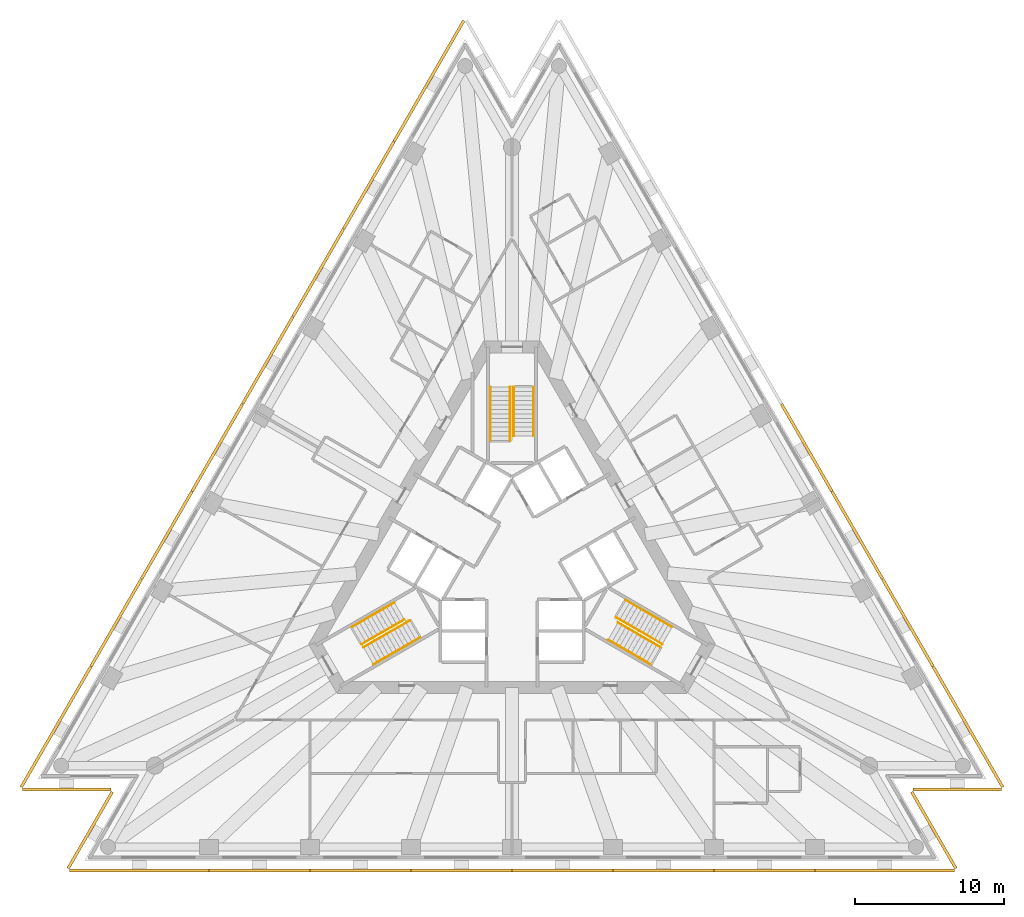
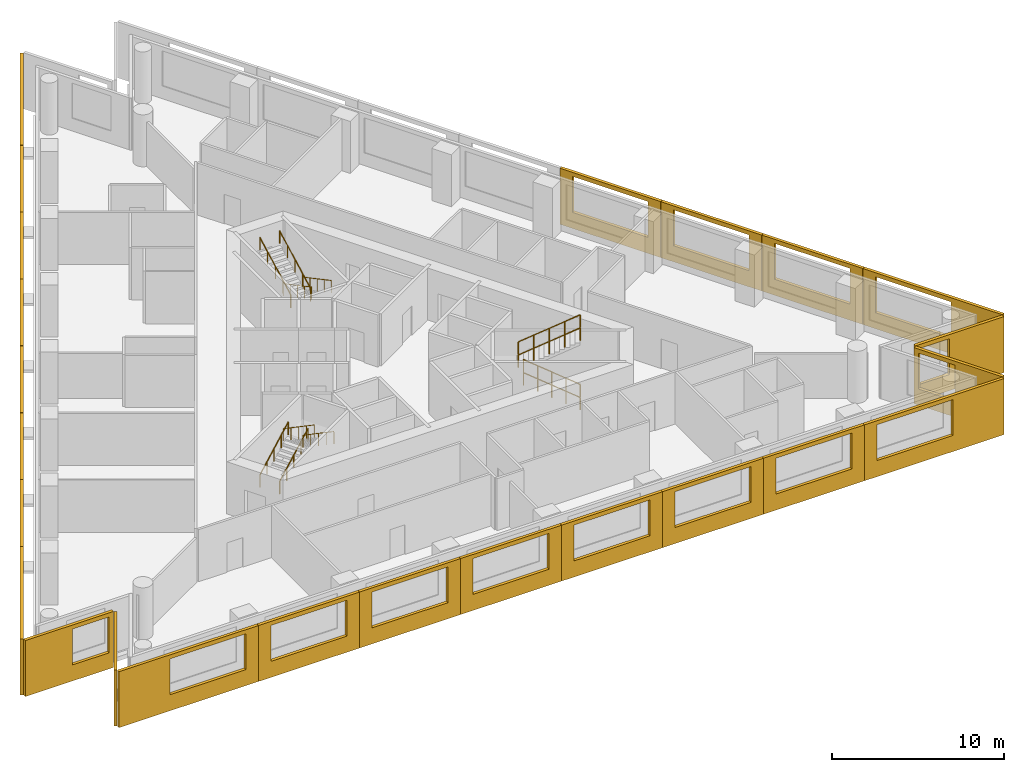
# One storey, part 8 of 9: 24 shading devices, 12 railings, 3 elements without a shape of their own.
"""IFC4 building model written with IfcOpenShell, lengths in metres."""

import ifcopenshell
import ifcopenshell.guid

model = None  # the IFC model being written
_history = None  # IfcOwnerHistory: only IFC2X3 demands one
_inside = {}  # id of a spatial element -> (the spatial element, [elements in it])
_under = {}  # id of a project, library or spatial element -> (it, [spatial elements below it])
_declared = {}  # id of a project -> (the project, [libraries it declares])
_typed = {}  # id of a type object -> (the type object, [elements of that type])
_made_of = {}  # id of a material, layer set ... -> (it, [elements and type objects made of it])


def new_model(schema):
    """Start an empty IFC model of exactly this schema.

    Asked for "IFC4X3", IfcOpenShell would pick the latest addendum, in which some entities
    have other attributes; the version numbers below select the first issue.
    IFC2X3 requires an IfcOwnerHistory on every rooted entity: one is made here for all.
    """
    global model, _history
    if schema == "IFC4X3":
        model = ifcopenshell.file(schema_version=(4, 3, 0, 0))
    else:
        model = ifcopenshell.file(schema=schema)
    _inside.clear()
    _under.clear()
    _declared.clear()
    _typed.clear()
    _made_of.clear()
    _history = None
    if model.schema == "IFC2X3":
        org = make("IfcOrganization", Name="unknown")
        user = make(
            "IfcPersonAndOrganization",
            ThePerson=make("IfcPerson", FamilyName="unknown"),
            TheOrganization=org,
        )
        app = make(
            "IfcApplication",
            ApplicationDeveloper=org,
            Version="unknown",
            ApplicationFullName="unknown",
            ApplicationIdentifier="unknown",
        )
        _history = make(
            "IfcOwnerHistory",
            OwningUser=user,
            OwningApplication=app,
            ChangeAction="ADDED",
            CreationDate=0,
        )
    return model


def make(cls, **values):
    """One entity of the class cls with the attributes given. An attribute that is None is left unset."""
    return model.create_entity(
        cls, **{name: value for name, value in values.items() if value is not None}
    )


def rooted(cls, **values):
    """An entity with a GlobalId (a new one), such as an element, a storey or a relation."""
    return make(cls, GlobalId=ifcopenshell.guid.new(), OwnerHistory=_history, **values)


def si_unit(unit_type, name, prefix=None):
    """IfcSIUnit, for example si_unit("LENGTHUNIT", "METRE", prefix="MILLI")."""
    return make("IfcSIUnit", UnitType=unit_type, Prefix=prefix, Name=name)


def assignment(units):
    """IfcUnitAssignment: the units of a project."""
    return None if units is None else make("IfcUnitAssignment", Units=units)


def point(xyz):
    """IfcCartesianPoint."""
    return None if xyz is None else make("IfcCartesianPoint", Coordinates=xyz)


def direction(xyz):
    """IfcDirection."""
    return None if xyz is None else make("IfcDirection", DirectionRatios=xyz)


def frame(location, z_axis=None, x_axis=None):
    """IfcAxis2Placement3D, a coordinate frame: its origin and axes. An axis left out is left unset."""
    return make(
        "IfcAxis2Placement3D",
        Location=point(location),
        Axis=direction(z_axis),
        RefDirection=direction(x_axis),
    )


def frame_2d(location, x_axis=None):
    """IfcAxis2Placement2D, a coordinate frame in the plane: its origin and x axis."""
    return make(
        "IfcAxis2Placement2D", Location=point(location), RefDirection=direction(x_axis)
    )


def origin():
    """The frame at (0, 0, 0) with its axes left unset."""
    return frame((0.0, 0.0, 0.0))


def origin_2d():
    """The frame at (0, 0) in the plane with its x axis left unset."""
    return frame_2d((0.0, 0.0))


def place(relative_to, where):
    """IfcLocalPlacement: puts the frame where relative to a parent placement (None: the world)."""
    return make(
        "IfcLocalPlacement", PlacementRelTo=relative_to, RelativePlacement=where
    )


def context(
    kind, dimensions, precision=None, world=None, true_north=None, identifier=None
):
    """IfcGeometricRepresentationContext, for example the 3D "Model" context."""
    return make(
        "IfcGeometricRepresentationContext",
        ContextIdentifier=identifier,
        ContextType=kind,
        CoordinateSpaceDimension=dimensions,
        Precision=precision,
        WorldCoordinateSystem=world,
        TrueNorth=true_north,
    )


def subcontext(parent, identifier, kind, view, scale=None):
    """IfcGeometricRepresentationSubContext, for example "Body" below "Model"."""
    return make(
        "IfcGeometricRepresentationSubContext",
        ContextIdentifier=identifier,
        ContextType=kind,
        ParentContext=parent,
        TargetScale=scale,
        TargetView=view,
    )


def project(units=None, contexts=None):
    """IfcProject with its units and contexts."""
    return rooted(
        "IfcProject",
        Name="project",
        RepresentationContexts=contexts,
        UnitsInContext=assignment(units),
    )


def spatial(cls, under=None, at=None, **own):
    """A site, building, storey or space (cls), placed at a placement, below another one or the project."""
    s = rooted(cls, ObjectPlacement=at, **own)
    if under is not None:
        _under.setdefault(under.id(), (under, []))[1].append(s)
    return s


def polyline(points):
    """IfcPolyline through the points."""
    return make("IfcPolyline", Points=[point(p) for p in points])


def profile(cls, at=None, kind="AREA", **sizes):
    """A parametric profile (cls). Its sizes go by their IFC names, for example OverallWidth=200.0."""
    return make(cls, ProfileType=kind, Position=at, **sizes)


def circle(**sizes):
    """IfcCircleProfileDef."""
    return profile("IfcCircleProfileDef", **sizes)


def outline(outer, holes=None, kind="AREA"):
    """IfcArbitraryClosedProfileDef: a profile drawn as a closed curve; with holes, ...WithVoids."""
    if holes is None:
        return make("IfcArbitraryClosedProfileDef", ProfileType=kind, OuterCurve=outer)
    return make(
        "IfcArbitraryProfileDefWithVoids",
        ProfileType=kind,
        OuterCurve=outer,
        InnerCurves=holes,
    )


def extrude(swept, where, along, depth):
    """IfcExtrudedAreaSolid: the profile swept, set in the frame where, extruded along a direction by depth."""
    return make(
        "IfcExtrudedAreaSolid",
        SweptArea=swept,
        Position=where,
        ExtrudedDirection=direction(along),
        Depth=depth,
    )


def shape(context_of_items, identifier, shape_type, items):
    """IfcShapeRepresentation: the items that make up one representation, for example the "Body"."""
    return make(
        "IfcShapeRepresentation",
        ContextOfItems=context_of_items,
        RepresentationIdentifier=identifier,
        RepresentationType=shape_type,
        Items=items,
    )


def material(Name=None, Category=None):
    """IfcMaterial."""
    return make("IfcMaterial", Name=Name, Category=Category)


def layer(
    of_material, thickness, ventilated=None, Name=None, Category=None, Priority=None
):
    """IfcMaterialLayer: one layer of a wall or slab, of a material (None: an air gap)."""
    return make(
        "IfcMaterialLayer",
        Material=of_material,
        LayerThickness=thickness,
        IsVentilated=ventilated,
        Name=Name,
        Category=Category,
        Priority=Priority,
    )


def layer_set(layers, Name=None):
    """IfcMaterialLayerSet."""
    return make("IfcMaterialLayerSet", MaterialLayers=layers, LayerSetName=Name)


def made_of(thing, what):
    """Note that an element or type object is made of a material, layer set ...; save() writes the relation."""
    if what is not None:
        _made_of.setdefault(what.id(), (what, []))[1].append(thing)
    return thing


def type_object(cls, material=None, **own):
    """A type object (cls), such as IfcWallType, which elements share."""
    return made_of(rooted(cls, **own), material)


def element(
    cls,
    number,
    at=None,
    inside=None,
    cuts=None,
    type_object=None,
    material=None,
    context=None,
    identifier="Body",
    shape_type=None,
    held_by="IfcProductDefinitionShape",
    body=None,
    shapes=None,
    **own,
):
    """One element of the class cls, such as IfcWall. Its Tag is "e" and its number.

    at: its placement. inside: the storey or other place that contains it. cuts: it is an
    opening in that element (IfcRelVoidsElement). A single representation is given by context,
    identifier, shape_type and body (its items); several are given by shapes. held_by: the class
    of the entity that holds the representations. save() writes the other relations.
    """
    e = rooted(cls, Tag="e%d" % number, ObjectPlacement=at, **own)
    if body is not None:
        shapes = [shape(context, identifier, shape_type, body)]
    if shapes is not None:
        e.Representation = make(held_by, Representations=shapes)
    if inside is not None:
        _inside.setdefault(inside.id(), (inside, []))[1].append(e)
    if cuts is not None:
        rooted(
            "IfcRelVoidsElement", RelatingBuildingElement=cuts, RelatedOpeningElement=e
        )
    if type_object is not None:
        _typed.setdefault(type_object.id(), (type_object, []))[1].append(e)
    return made_of(e, material)


def aggregate(whole, parts):
    """IfcRelAggregates: a whole, such as a stair, and the parts it consists of."""
    return rooted("IfcRelAggregates", RelatingObject=whole, RelatedObjects=parts)


def save(model, path):
    """Write the relations noted so far, then the file.

    IfcRelAggregates (storeys below a building ...), IfcRelContainedInSpatialStructure (elements
    in a storey), IfcRelDefinesByType, IfcRelAssociatesMaterial and IfcRelDeclares: one each for
    every whole, place, type object, material and project.
    """
    for whole, parts in _under.values():
        aggregate(whole, parts)
    for where, things in _inside.values():
        rooted(
            "IfcRelContainedInSpatialStructure",
            RelatedElements=things,
            RelatingStructure=where,
        )
    for kind, things in _typed.values():
        rooted("IfcRelDefinesByType", RelatedObjects=things, RelatingType=kind)
    for what, things in _made_of.values():
        rooted("IfcRelAssociatesMaterial", RelatedObjects=things, RelatingMaterial=what)
    for by, libraries in _declared.values():
        rooted("IfcRelDeclares", RelatingContext=by, RelatedDefinitions=libraries)
    model.write(path)


model = new_model("IFC4")

# Units and contexts
model_context = context("Model", 3, precision=1e-05, world=origin(), true_north=direction((0.0, 1.0)))
body_context = subcontext(model_context, "Body", "Model", "MODEL_VIEW")
ifc_project = project(units=[si_unit("LENGTHUNIT", "METRE"), si_unit("AREAUNIT", "SQUARE_METRE"), si_unit("VOLUMEUNIT", "CUBIC_METRE"), si_unit("PLANEANGLEUNIT", "RADIAN"), si_unit("MASSUNIT", "GRAM", prefix="KILO")], contexts=[model_context])

# Site, building, storey
site_placement = place(None, origin())
site = spatial("IfcSite", under=ifc_project, at=site_placement, CompositionType="ELEMENT")
building_placement = place(site_placement, origin())
building = spatial("IfcBuilding", under=site, at=building_placement, Name="Triada Interchange Tower", CompositionType="ELEMENT")
storey_placement = place(building_placement, frame((0.0, 0.0, 132.300048828125)))
storey = spatial("IfcBuildingStorey", under=building, at=storey_placement, Name="L30", CompositionType="ELEMENT", Elevation=132.300048828125)

# Shading devices
ifc_material_1 = material(Name="Concrete C50/60 precast", Category="concrete")
ifc_layer_1 = layer(ifc_material_1, 0.02001953125, Name="Exposed aggregate face")
ifc_layer_2 = layer(ifc_material_1, 0.179931640625, Name="Precast concrete screen")
ifc_layer_set = layer_set([ifc_layer_1, ifc_layer_2], Name="Outer skin screen panel 3980")
shading_device_type = type_object("IfcShadingDeviceType", Name="Outer skin screen panel 3980", PredefinedType="SHUTTER", material=ifc_layer_set)
shading_device_1_placement = place(storey_placement, frame((-3.158935546875, 36.19189453125, -0.2900390625), z_axis=(0.0, 0.0, 1.0), x_axis=(-0.500022371132, -0.86601248742, 0.0)))
element("IfcShadingDevice", 1, at=shading_device_1_placement, inside=storey, type_object=shading_device_type, Name="Outer skin screen panel L30 01", PredefinedType="SHUTTER", context=body_context, shape_type="SweptSolid", body=[
    extrude(outline(polyline([(0.0, 0.0), (9.37158203125, 0.0), (9.37158203125, 3.97998046875), (0.0, 3.97998046875), (0.0, 0.0)]), holes=[polyline([(3.4345703125, 1.139892578125), (3.4345703125, 3.68994140625), (8.53466796875, 3.68994140625), (8.53466796875, 1.139892578125), (3.4345703125, 1.139892578125)])]), frame((0.0, 0.0, 0.0), z_axis=(0.0, -1.0, 0.0), x_axis=(1.0, 0.0, 0.0)), (0.0, 0.0, 1.0), 0.199951171875),
])
shading_device_2_placement = place(storey_placement, frame((-7.85498046875, 28.05908203125, -0.2900390625), z_axis=(0.0, 0.0, 1.0), x_axis=(-0.499949141057, -0.866054765218, 0.0)))
element("IfcShadingDevice", 2, at=shading_device_2_placement, inside=storey, type_object=shading_device_type, Name="Outer skin screen panel L30 02", PredefinedType="SHUTTER", context=body_context, shape_type="SweptSolid", body=[
    extrude(outline(polyline([(0.0, 0.0), (6.774658203125, 0.0), (6.774658203125, 3.97998046875), (0.0, 3.97998046875), (0.0, 0.0)]), holes=[polyline([(0.83642578125, 1.139892578125), (0.83642578125, 3.68994140625), (5.9365234375, 3.68994140625), (5.9365234375, 1.139892578125), (0.83642578125, 1.139892578125)])]), frame((0.0, 0.0, 0.0), z_axis=(0.0, -1.0, 0.0), x_axis=(1.0, 0.0, 0.0)), (0.0, 0.0, 1.0), 0.199951171875),
])
shading_device_3_placement = place(storey_placement, frame((-11.251953125, 22.175048828125, -0.2900390625), z_axis=(0.0, 0.0, 1.0), x_axis=(-0.499964745128, -0.866045757238, 0.0)))
element("IfcShadingDevice", 3, at=shading_device_3_placement, inside=storey, type_object=shading_device_type, Name="Outer skin screen panel L30 03", PredefinedType="SHUTTER", context=body_context, shape_type="SweptSolid", body=[
    extrude(outline(polyline([(0.0, 0.0), (6.7744140625, 0.0), (6.7744140625, 3.97998046875), (0.0, 3.97998046875), (0.0, 0.0)]), holes=[polyline([(0.836669921875, 1.139892578125), (0.836669921875, 3.68994140625), (5.9365234375, 3.68994140625), (5.9365234375, 1.139892578125), (0.836669921875, 1.139892578125)])]), frame((0.0, 0.0, 0.0), z_axis=(0.0, -1.0, 0.0), x_axis=(1.0, 0.0, 0.0)), (0.0, 0.0, 1.0), 0.199951171875),
])
shading_device_4_placement = place(storey_placement, frame((-14.64892578125, 16.291015625, -0.2900390625), z_axis=(0.0, 0.0, 1.0), x_axis=(-0.50002716953, -0.866009716881, 0.0)))
element("IfcShadingDevice", 4, at=shading_device_4_placement, inside=storey, type_object=shading_device_type, Name="Outer skin screen panel L30 04", PredefinedType="SHUTTER", context=body_context, shape_type="SweptSolid", body=[
    extrude(outline(polyline([(0.0, 0.0), (6.7734375, 0.0), (6.7734375, 3.97998046875), (0.0, 3.97998046875), (0.0, 0.0)]), holes=[polyline([(0.836669921875, 1.139892578125), (0.836669921875, 3.68994140625), (5.9365234375, 3.68994140625), (5.9365234375, 1.139892578125), (0.836669921875, 1.139892578125)])]), frame((0.0, 0.0, 0.0), z_axis=(0.0, -1.0, 0.0), x_axis=(1.0, 0.0, 0.0)), (0.0, 0.0, 1.0), 0.199951171875),
])
shading_device_5_placement = place(storey_placement, frame((-18.0458984375, 10.406982421875, -0.2900390625), z_axis=(0.0, 0.0, 1.0), x_axis=(-0.500054200212, -0.865994109016, 0.0)))
element("IfcShadingDevice", 5, at=shading_device_5_placement, inside=storey, type_object=shading_device_type, Name="Outer skin screen panel L30 05", PredefinedType="SHUTTER", context=body_context, shape_type="SweptSolid", body=[
    extrude(outline(polyline([(0.0, 0.0), (6.773681640625, 0.0), (6.773681640625, 3.97998046875), (0.0, 3.97998046875), (0.0, 0.0)]), holes=[polyline([(0.836669921875, 1.139892578125), (0.836669921875, 3.68994140625), (5.9365234375, 3.68994140625), (5.9365234375, 1.139892578125), (0.836669921875, 1.139892578125)])]), frame((0.0, 0.0, 0.0), z_axis=(0.0, -1.0, 0.0), x_axis=(1.0, 0.0, 0.0)), (0.0, 0.0, 1.0), 0.199951171875),
])
shading_device_6_placement = place(storey_placement, frame((-21.443115234375, 4.52392578125, -0.2900390625), z_axis=(0.0, 0.0, 1.0), x_axis=(-0.499964745128, -0.866045757238, 0.0)))
element("IfcShadingDevice", 6, at=shading_device_6_placement, inside=storey, type_object=shading_device_type, Name="Outer skin screen panel L30 06", PredefinedType="SHUTTER", context=body_context, shape_type="SweptSolid", body=[
    extrude(outline(polyline([(0.0, 0.0), (6.7744140625, 0.0), (6.7744140625, 3.97998046875), (0.0, 3.97998046875), (0.0, 0.0)]), holes=[polyline([(0.836669921875, 1.139892578125), (0.836669921875, 3.68994140625), (5.9365234375, 3.68994140625), (5.9365234375, 1.139892578125), (0.836669921875, 1.139892578125)])]), frame((0.0, 0.0, 0.0), z_axis=(0.0, -1.0, 0.0), x_axis=(1.0, 0.0, 0.0)), (0.0, 0.0, 1.0), 0.199951171875),
])
shading_device_7_placement = place(storey_placement, frame((-24.840087890625, -1.360107421875, -0.2900390625), z_axis=(0.0, 0.0, 1.0), x_axis=(-0.499964745128, -0.866045757238, 0.0)))
element("IfcShadingDevice", 7, at=shading_device_7_placement, inside=storey, type_object=shading_device_type, Name="Outer skin screen panel L30 07", PredefinedType="SHUTTER", context=body_context, shape_type="SweptSolid", body=[
    extrude(outline(polyline([(0.0, 0.0), (6.7744140625, 0.0), (6.7744140625, 3.97998046875), (0.0, 3.97998046875), (0.0, 0.0)]), holes=[polyline([(0.836669921875, 1.139892578125), (0.836669921875, 3.68994140625), (5.936767578125, 3.68994140625), (5.936767578125, 1.139892578125), (0.836669921875, 1.139892578125)])]), frame((0.0, 0.0, 0.0), z_axis=(0.0, -1.0, 0.0), x_axis=(1.0, 0.0, 0.0)), (0.0, 0.0, 1.0), 0.199951171875),
])
shading_device_8_placement = place(storey_placement, frame((-28.237060546875, -7.243896484375, -0.2900390625), z_axis=(0.0, 0.0, 1.0), x_axis=(-0.500011090606, -0.866019000526, 0.0)))
element("IfcShadingDevice", 8, at=shading_device_8_placement, inside=storey, type_object=shading_device_type, Name="Outer skin screen panel L30 08", PredefinedType="SHUTTER", context=body_context, shape_type="SweptSolid", body=[
    extrude(outline(polyline([(0.0, 0.0), (9.371826171875, 0.0), (9.371826171875, 3.97998046875), (0.0, 3.97998046875), (0.0, 0.0)]), holes=[polyline([(0.836669921875, 1.139892578125), (0.836669921875, 3.68994140625), (5.936767578125, 3.68994140625), (5.936767578125, 1.139892578125), (0.836669921875, 1.139892578125)])]), frame((0.0, 0.0, 0.0), z_axis=(0.0, -1.0, 0.0), x_axis=(1.0, 0.0, 0.0)), (0.0, 0.0, 1.0), 0.199951171875),
])
shading_device_9_placement = place(storey_placement, frame((-32.91796875, -15.368896484375, -0.2900390625), z_axis=(0.0, 0.0, 1.0), x_axis=(1.0, 0.0, 0.0)))
element("IfcShadingDevice", 9, at=shading_device_9_placement, inside=storey, type_object=shading_device_type, Name="Outer skin screen panel L30 09", PredefinedType="SHUTTER", context=body_context, shape_type="SweptSolid", body=[
    extrude(outline(polyline([(0.0, 0.0), (5.94091796875, 0.0), (5.94091796875, 3.97998046875), (0.0, 3.97998046875), (0.0, 0.0)]), holes=[polyline([(3.175048828125, 1.139892578125), (3.175048828125, 3.68994140625), (5.64111328125, 3.68994140625), (5.64111328125, 1.139892578125), (3.175048828125, 1.139892578125)])]), frame((0.0, 0.0, 0.0), z_axis=(0.0, -1.0, 0.0), x_axis=(1.0, 0.0, 0.0)), (0.0, 0.0, 1.0), 0.199951171875),
])
shading_device_10_placement = place(storey_placement, frame((-26.799072265625, -15.677978515625, -0.2900390625), z_axis=(0.0, 0.0, 1.0), x_axis=(-0.499935901642, -0.866062407826, 0.0)))
element("IfcShadingDevice", 10, at=shading_device_10_placement, inside=storey, type_object=shading_device_type, Name="Outer skin screen panel L30 10", PredefinedType="SHUTTER", context=body_context, shape_type="SweptSolid", body=[
    extrude(outline(polyline([(0.0, 0.0), (5.940673828125, 0.0), (5.940673828125, 3.97998046875), (0.0, 3.97998046875), (0.0, 0.0)]), holes=[polyline([(0.300048828125, 1.139892578125), (0.300048828125, 3.68994140625), (2.2578125, 3.68994140625), (2.2578125, 1.139892578125), (0.300048828125, 1.139892578125)])]), frame((0.0, 0.0, 0.0), z_axis=(0.0, -1.0, 0.0), x_axis=(1.0, 0.0, 0.0)), (0.0, 0.0, 1.0), 0.199951171875),
])
shading_device_11_placement = place(storey_placement, frame((-29.763916015625, -20.83203125, -0.2900390625), z_axis=(0.0, 0.0, 1.0), x_axis=(1.0, 0.0, 0.0)))
element("IfcShadingDevice", 11, at=shading_device_11_placement, inside=storey, type_object=shading_device_type, Name="Outer skin screen panel L30 11", PredefinedType="SHUTTER", context=body_context, shape_type="SweptSolid", body=[
    extrude(outline(polyline([(0.0, 0.0), (9.371826171875, 0.0), (9.371826171875, 3.97998046875), (0.0, 3.97998046875), (0.0, 0.0)]), holes=[polyline([(3.43505859375, 1.139892578125), (3.43505859375, 3.68994140625), (8.534912109375, 3.68994140625), (8.534912109375, 1.139892578125), (3.43505859375, 1.139892578125)])]), frame((0.0, 0.0, 0.0), z_axis=(0.0, -1.0, 0.0), x_axis=(1.0, 0.0, 0.0)), (0.0, 0.0, 1.0), 0.199951171875),
])
shading_device_12_placement = place(storey_placement, frame((-20.3720703125, -20.83203125, -0.2900390625), z_axis=(0.0, 0.0, 1.0), x_axis=(1.0, 0.0, 0.0)))
element("IfcShadingDevice", 12, at=shading_device_12_placement, inside=storey, type_object=shading_device_type, Name="Outer skin screen panel L30 12", PredefinedType="SHUTTER", context=body_context, shape_type="SweptSolid", body=[
    extrude(outline(polyline([(0.0, 0.0), (6.774169921875, 0.0), (6.774169921875, 3.97998046875), (0.0, 3.97998046875), (0.0, 0.0)]), holes=[polyline([(0.8369140625, 1.139892578125), (0.8369140625, 3.68994140625), (5.93701171875, 3.68994140625), (5.93701171875, 1.139892578125), (0.8369140625, 1.139892578125)])]), frame((0.0, 0.0, 0.0), z_axis=(0.0, -1.0, 0.0), x_axis=(1.0, 0.0, 0.0)), (0.0, 0.0, 1.0), 0.199951171875),
])
for number, where, z_axis, x_axis, name in (
    (13, (-13.577880859375, -20.83203125, -0.2900390625), (0.0, 0.0, 1.0), (1.0, 0.0, 0.0), "Outer skin screen panel L30 13"),
    (14, (-6.783935546875, -20.83203125, -0.2900390625), (0.0, 0.0, 1.0), (1.0, 0.0, 0.0), "Outer skin screen panel L30 14"),
    (15, (0.010009765625, -20.83203125, -0.2900390625), (0.0, 0.0, 1.0), (1.0, 0.0, 0.0), "Outer skin screen panel L30 15"),
    (16, (6.803955078125, -20.83203125, -0.2900390625), (0.0, 0.0, 1.0), (1.0, 0.0, 0.0), "Outer skin screen panel L30 16"),
):
    element("IfcShadingDevice", number, at=place(storey_placement, frame(where, z_axis=z_axis, x_axis=x_axis)), inside=storey, type_object=shading_device_type, Name=name, PredefinedType="SHUTTER", context=body_context, shape_type="SweptSolid", body=[
        extrude(outline(polyline([(0.0, 0.0), (6.77392578125, 0.0), (6.77392578125, 3.97998046875), (0.0, 3.97998046875), (0.0, 0.0)]), holes=[polyline([(0.8369140625, 1.139892578125), (0.8369140625, 3.68994140625), (5.93701171875, 3.68994140625), (5.93701171875, 1.139892578125), (0.8369140625, 1.139892578125)])]), frame((0.0, 0.0, 0.0), z_axis=(0.0, -1.0, 0.0), x_axis=(1.0, 0.0, 0.0)), (0.0, 0.0, 1.0), 0.199951171875),
    ])
shading_device_13_placement = place(storey_placement, frame((13.597900390625, -20.83203125, -0.2900390625), z_axis=(0.0, 0.0, 1.0), x_axis=(1.0, 0.0, 0.0)))
element("IfcShadingDevice", 17, at=shading_device_13_placement, inside=storey, type_object=shading_device_type, Name="Outer skin screen panel L30 17", PredefinedType="SHUTTER", context=body_context, shape_type="SweptSolid", body=[
    extrude(outline(polyline([(0.0, 0.0), (6.774169921875, 0.0), (6.774169921875, 3.97998046875), (0.0, 3.97998046875), (0.0, 0.0)]), holes=[polyline([(0.8369140625, 1.139892578125), (0.8369140625, 3.68994140625), (5.93701171875, 3.68994140625), (5.93701171875, 1.139892578125), (0.8369140625, 1.139892578125)])]), frame((0.0, 0.0, 0.0), z_axis=(0.0, -1.0, 0.0), x_axis=(1.0, 0.0, 0.0)), (0.0, 0.0, 1.0), 0.199951171875),
])
shading_device_14_placement = place(storey_placement, frame((20.39208984375, -20.83203125, -0.2900390625), z_axis=(0.0, 0.0, 1.0), x_axis=(1.0, 0.0, 0.0)))
element("IfcShadingDevice", 18, at=shading_device_14_placement, inside=storey, type_object=shading_device_type, Name="Outer skin screen panel L30 18", PredefinedType="SHUTTER", context=body_context, shape_type="SweptSolid", body=[
    extrude(outline(polyline([(0.0, 0.0), (9.371826171875, 0.0), (9.371826171875, 3.97998046875), (0.0, 3.97998046875), (0.0, 0.0)]), holes=[polyline([(0.8369140625, 1.139892578125), (0.8369140625, 3.68994140625), (5.93701171875, 3.68994140625), (5.93701171875, 1.139892578125), (0.8369140625, 1.139892578125)])]), frame((0.0, 0.0, 0.0), z_axis=(0.0, -1.0, 0.0), x_axis=(1.0, 0.0, 0.0)), (0.0, 0.0, 1.0), 0.199951171875),
])
shading_device_15_placement = place(storey_placement, frame((29.76904296875, -20.822998046875, -0.2900390625), z_axis=(0.0, 0.0, 1.0), x_axis=(-0.499935901642, 0.866062407826, 0.0)))
element("IfcShadingDevice", 19, at=shading_device_15_placement, inside=storey, type_object=shading_device_type, Name="Outer skin screen panel L30 19", PredefinedType="SHUTTER", context=body_context, shape_type="SweptSolid", body=[
    extrude(outline(polyline([(0.0, 0.0), (5.940673828125, 0.0), (5.940673828125, 3.97998046875), (0.0, 3.97998046875), (0.0, 0.0)]), holes=[polyline([(3.17529296875, 1.139892578125), (3.17529296875, 3.68994140625), (5.641357421875, 3.68994140625), (5.641357421875, 1.139892578125), (3.17529296875, 1.139892578125)])]), frame((0.0, 0.0, 0.0), z_axis=(0.0, -1.0, 0.0), x_axis=(1.0, 0.0, 0.0)), (0.0, 0.0, 1.0), 0.199951171875),
])
shading_device_16_placement = place(storey_placement, frame((26.97705078125, -15.368896484375, -0.2900390625), z_axis=(0.0, 0.0, 1.0), x_axis=(1.0, 0.0, 0.0)))
element("IfcShadingDevice", 20, at=shading_device_16_placement, inside=storey, type_object=shading_device_type, Name="Outer skin screen panel L30 20", PredefinedType="SHUTTER", context=body_context, shape_type="SweptSolid", body=[
    extrude(outline(polyline([(0.0, 0.0), (5.94091796875, 0.0), (5.94091796875, 3.97998046875), (0.0, 3.97998046875), (0.0, 0.0)]), holes=[polyline([(0.300048828125, 1.139892578125), (0.300048828125, 3.68994140625), (2.258056640625, 3.68994140625), (2.258056640625, 1.139892578125), (0.300048828125, 1.139892578125)])]), frame((0.0, 0.0, 0.0), z_axis=(0.0, -1.0, 0.0), x_axis=(1.0, 0.0, 0.0)), (0.0, 0.0, 1.0), 0.199951171875),
])
shading_device_17_placement = place(storey_placement, frame((32.923095703125, -15.360107421875, -0.2900390625), z_axis=(0.0, 0.0, 1.0), x_axis=(-0.500011090606, 0.866019000526, 0.0)))
element("IfcShadingDevice", 21, at=shading_device_17_placement, inside=storey, type_object=shading_device_type, Name="Outer skin screen panel L30 21", PredefinedType="SHUTTER", context=body_context, shape_type="SweptSolid", body=[
    extrude(outline(polyline([(0.0, 0.0), (9.371826171875, 0.0), (9.371826171875, 3.97998046875), (0.0, 3.97998046875), (0.0, 0.0)]), holes=[polyline([(3.435302734375, 1.139892578125), (3.435302734375, 3.68994140625), (8.535400390625, 3.68994140625), (8.535400390625, 1.139892578125), (3.435302734375, 1.139892578125)])]), frame((0.0, 0.0, 0.0), z_axis=(0.0, -1.0, 0.0), x_axis=(1.0, 0.0, 0.0)), (0.0, 0.0, 1.0), 0.199951171875),
])
for number, where, z_axis, x_axis, name in (
    (22, (28.22705078125, -7.22705078125, -0.2900390625), (0.0, 0.0, 1.0), (-0.499964745128, 0.866045757238, 0.0), "Outer skin screen panel L30 22"),
    (23, (24.830078125, -1.343017578125, -0.2900390625), (0.0, 0.0, 1.0), (-0.499964745128, 0.866045757238, 0.0), "Outer skin screen panel L30 23"),
):
    element("IfcShadingDevice", number, at=place(storey_placement, frame(where, z_axis=z_axis, x_axis=x_axis)), inside=storey, type_object=shading_device_type, Name=name, PredefinedType="SHUTTER", context=body_context, shape_type="SweptSolid", body=[
        extrude(outline(polyline([(0.0, 0.0), (6.7744140625, 0.0), (6.7744140625, 3.97998046875), (0.0, 3.97998046875), (0.0, 0.0)]), holes=[polyline([(0.83740234375, 1.139892578125), (0.83740234375, 3.68994140625), (5.937255859375, 3.68994140625), (5.937255859375, 1.139892578125), (0.83740234375, 1.139892578125)])]), frame((0.0, 0.0, 0.0), z_axis=(0.0, -1.0, 0.0), x_axis=(1.0, 0.0, 0.0)), (0.0, 0.0, 1.0), 0.199951171875),
    ])
shading_device_18_placement = place(storey_placement, frame((21.43310546875, 4.541015625, -0.2900390625), z_axis=(0.0, 0.0, 1.0), x_axis=(-0.500054200212, 0.865994109016, 0.0)))
element("IfcShadingDevice", 24, at=shading_device_18_placement, inside=storey, type_object=shading_device_type, Name="Outer skin screen panel L30 24", PredefinedType="SHUTTER", context=body_context, shape_type="SweptSolid", body=[
    extrude(outline(polyline([(0.0, 0.0), (6.773681640625, 0.0), (6.773681640625, 3.97998046875), (0.0, 3.97998046875), (0.0, 0.0)]), holes=[polyline([(0.83740234375, 1.139892578125), (0.83740234375, 3.68994140625), (5.937255859375, 3.68994140625), (5.937255859375, 1.139892578125), (0.83740234375, 1.139892578125)])]), frame((0.0, 0.0, 0.0), z_axis=(0.0, -1.0, 0.0), x_axis=(1.0, 0.0, 0.0)), (0.0, 0.0, 1.0), 0.199951171875),
])

# Stair, railings
ifc_material_2 = material(Name="Concrete C35/45", Category="concrete")
stair_type = type_object("IfcStairType", Name="HALF TURN STAIR 1400", PredefinedType="HALF_TURN_STAIR", material=ifc_material_2)
stair_1_placement = place(storey_placement, origin())
stair_1 = element("IfcStair", 25, at=stair_1_placement, inside=storey, type_object=stair_type, Name="Exit stair S29-1", PredefinedType="HALF_TURN_STAIR")
ifc_material_3 = material(Name="Stainless steel 1.4301", Category="steel")
railing_type = type_object("IfcRailingType", Name="STAIR HANDRAIL 900", PredefinedType="HANDRAIL", material=ifc_material_3)
railing_1_placement = place(storey_placement, frame((1.449951171875, 11.60009765625, 0.159912109375)))
railing_1 = element("IfcRailing", 26, at=railing_1_placement, type_object=railing_type, Name="Handrail S29-1 1W", PredefinedType="HANDRAIL", context=body_context, shape_type="SweptSolid", body=[
    extrude(circle(Radius=0.02392578125, at=origin_2d()), frame((0.0, 0.0, 0.8759765625), z_axis=(0.0, -0.882354748157, 0.47058484719), x_axis=(1.0, 0.0, 0.0)), (0.0, 0.0, 1.0), 3.739990234375),
    extrude(circle(Radius=0.02099609375, at=origin_2d()), origin(), (0.0, 0.0, 1.0), 0.851806640625),
    extrude(circle(Radius=0.02099609375, at=origin_2d()), frame((0.0, -0.824951171875, 0.43994140625)), (0.0, 0.0, 1.0), 0.851806640625),
    extrude(circle(Radius=0.02099609375, at=origin_2d()), frame((0.0, -1.64990234375, 0.8798828125)), (0.0, 0.0, 1.0), 0.851806640625),
    extrude(circle(Radius=0.02099609375, at=origin_2d()), frame((0.0, -2.47509765625, 1.320068359375)), (0.0, 0.0, 1.0), 0.851806640625),
    extrude(circle(Radius=0.02099609375, at=origin_2d()), frame((0.0, -3.300048828125, 1.760009765625)), (0.0, 0.0, 1.0), 0.851806640625),
])
railing_2_placement = place(storey_placement, frame((0.1201171875, 11.60009765625, 0.159912109375)))
railing_2 = element("IfcRailing", 27, at=railing_2_placement, type_object=railing_type, Name="Handrail S29-1 1C", PredefinedType="HANDRAIL", context=body_context, shape_type="SweptSolid", body=[
    extrude(circle(Radius=0.02392578125, at=origin_2d()), frame((0.0, 0.0, 0.8759765625), z_axis=(0.0, -0.882354748157, 0.47058484719), x_axis=(1.0, 0.0, 0.0)), (0.0, 0.0, 1.0), 3.739990234375),
    extrude(circle(Radius=0.02099609375, at=origin_2d()), origin(), (0.0, 0.0, 1.0), 0.851806640625),
    extrude(circle(Radius=0.02099609375, at=origin_2d()), frame((0.0, -0.824951171875, 0.43994140625)), (0.0, 0.0, 1.0), 0.851806640625),
    extrude(circle(Radius=0.02099609375, at=origin_2d()), frame((0.0, -1.64990234375, 0.8798828125)), (0.0, 0.0, 1.0), 0.851806640625),
    extrude(circle(Radius=0.02099609375, at=origin_2d()), frame((0.0, -2.47509765625, 1.320068359375)), (0.0, 0.0, 1.0), 0.851806640625),
    extrude(circle(Radius=0.02099609375, at=origin_2d()), frame((0.0, -3.300048828125, 1.760009765625)), (0.0, 0.0, 1.0), 0.851806640625),
])
railing_3_placement = place(storey_placement, frame((-1.449951171875, 8.0, 2.079833984375)))
railing_3 = element("IfcRailing", 28, at=railing_3_placement, type_object=railing_type, Name="Handrail S29-1 2W", PredefinedType="HANDRAIL", context=body_context, shape_type="SweptSolid", body=[
    extrude(circle(Radius=0.02392578125, at=origin_2d()), frame((0.0, 0.0, 0.8759765625), z_axis=(0.0, 0.882341346394, 0.470609974867), x_axis=(-1.0, 0.0, 0.0)), (0.0, 0.0, 1.0), 4.080078125),
    extrude(circle(Radius=0.02099609375, at=origin_2d()), origin(), (0.0, 0.0, 1.0), 0.851806640625),
    extrude(circle(Radius=0.02099609375, at=origin_2d()), frame((0.0, 0.89990234375, 0.47998046875)), (0.0, 0.0, 1.0), 0.851806640625),
    extrude(circle(Radius=0.02099609375, at=origin_2d()), frame((0.0, 1.800048828125, 0.9599609375)), (0.0, 0.0, 1.0), 0.851806640625),
    extrude(circle(Radius=0.02099609375, at=origin_2d()), frame((0.0, 2.7001953125, 1.440185546875)), (0.0, 0.0, 1.0), 0.851806640625),
    extrude(circle(Radius=0.02099609375, at=origin_2d()), frame((0.0, 3.60009765625, 1.920166015625)), (0.0, 0.0, 1.0), 0.851806640625),
])
railing_4_placement = place(storey_placement, frame((-0.1201171875, 8.0, 2.079833984375)))
railing_4 = element("IfcRailing", 29, at=railing_4_placement, type_object=railing_type, Name="Handrail S29-1 2C", PredefinedType="HANDRAIL", context=body_context, shape_type="SweptSolid", body=[
    extrude(circle(Radius=0.02392578125, at=origin_2d()), frame((0.0, 0.0, 0.8759765625), z_axis=(0.0, 0.882341346394, 0.470609974867), x_axis=(-1.0, 0.0, 0.0)), (0.0, 0.0, 1.0), 4.080078125),
    extrude(circle(Radius=0.02099609375, at=origin_2d()), origin(), (0.0, 0.0, 1.0), 0.851806640625),
    extrude(circle(Radius=0.02099609375, at=origin_2d()), frame((0.0, 0.89990234375, 0.47998046875)), (0.0, 0.0, 1.0), 0.851806640625),
    extrude(circle(Radius=0.02099609375, at=origin_2d()), frame((0.0, 1.800048828125, 0.9599609375)), (0.0, 0.0, 1.0), 0.851806640625),
    extrude(circle(Radius=0.02099609375, at=origin_2d()), frame((0.0, 2.7001953125, 1.440185546875)), (0.0, 0.0, 1.0), 0.851806640625),
    extrude(circle(Radius=0.02099609375, at=origin_2d()), frame((0.0, 3.60009765625, 1.920166015625)), (0.0, 0.0, 1.0), 0.851806640625),
])
aggregate(stair_1, [railing_1, railing_2, railing_3, railing_4])

stair_2_placement = place(storey_placement, origin())
stair_2 = element("IfcStair", 30, at=stair_2_placement, inside=storey, type_object=stair_type, Name="Exit stair S29-2", PredefinedType="HALF_TURN_STAIR")
railing_5_placement = place(storey_placement, frame((-10.77099609375, -4.5439453125, 0.159912109375)))
railing_5 = element("IfcRailing", 31, at=railing_5_placement, type_object=railing_type, Name="Handrail S29-2 1W", PredefinedType="HANDRAIL", context=body_context, shape_type="SweptSolid", body=[
    extrude(circle(Radius=0.02392578125, at=origin_2d()), frame((0.0, 0.0, 0.8759765625), z_axis=(0.764150854273, 0.441152526326, 0.470593158077), x_axis=(-0.499974350878, 0.866040211805, 0.0)), (0.0, 0.0, 1.0), 3.739990234375),
    extrude(circle(Radius=0.02099609375, at=origin_2d()), origin(), (0.0, 0.0, 1.0), 0.851806640625),
    extrude(circle(Radius=0.02099609375, at=origin_2d()), frame((0.71435546875, 0.41259765625, 0.43994140625)), (0.0, 0.0, 1.0), 0.851806640625),
    extrude(circle(Radius=0.02099609375, at=origin_2d()), frame((1.428955078125, 0.824951171875, 0.8798828125)), (0.0, 0.0, 1.0), 0.851806640625),
    extrude(circle(Radius=0.02099609375, at=origin_2d()), frame((2.1435546875, 1.2373046875, 1.320068359375)), (0.0, 0.0, 1.0), 0.851806640625),
    extrude(circle(Radius=0.02099609375, at=origin_2d()), frame((2.85791015625, 1.64990234375, 1.760009765625)), (0.0, 0.0, 1.0), 0.851806640625),
])
railing_6_placement = place(storey_placement, frame((-10.10595703125, -5.696044921875, 0.159912109375)))
railing_6 = element("IfcRailing", 32, at=railing_6_placement, type_object=railing_type, Name="Handrail S29-2 1C", PredefinedType="HANDRAIL", context=body_context, shape_type="SweptSolid", body=[
    extrude(circle(Radius=0.02392578125, at=origin_2d()), frame((0.0, 0.0, 0.8759765625), z_axis=(0.76412884773, 0.441205098395, 0.470579605611), x_axis=(-0.50002983664, 0.866008176907, 0.0)), (0.0, 0.0, 1.0), 3.739990234375),
    extrude(circle(Radius=0.02099609375, at=origin_2d()), origin(), (0.0, 0.0, 1.0), 0.851806640625),
    extrude(circle(Radius=0.02099609375, at=origin_2d()), frame((0.71435546875, 0.41259765625, 0.43994140625)), (0.0, 0.0, 1.0), 0.851806640625),
    extrude(circle(Radius=0.02099609375, at=origin_2d()), frame((1.428955078125, 0.8251953125, 0.8798828125)), (0.0, 0.0, 1.0), 0.851806640625),
    extrude(circle(Radius=0.02099609375, at=origin_2d()), frame((2.1435546875, 1.237548828125, 1.320068359375)), (0.0, 0.0, 1.0), 0.851806640625),
    extrude(circle(Radius=0.02099609375, at=origin_2d()), frame((2.85791015625, 1.650146484375, 1.760009765625)), (0.0, 0.0, 1.0), 0.851806640625),
])
railing_7_placement = place(storey_placement, frame((-6.202880859375, -5.256103515625, 2.079833984375)))
railing_7 = element("IfcRailing", 33, at=railing_7_placement, type_object=railing_type, Name="Handrail S29-2 2W", PredefinedType="HANDRAIL", context=body_context, shape_type="SweptSolid", body=[
    extrude(circle(Radius=0.02392578125, at=origin_2d()), frame((0.0, 0.0, 0.8759765625), z_axis=(-0.764189758314, -0.441090424232, 0.470588196769), x_axis=(0.499902469156, -0.866081705922, 0.0)), (0.0, 0.0, 1.0), 4.080322265625),
    extrude(circle(Radius=0.02099609375, at=origin_2d()), origin(), (0.0, 0.0, 1.0), 0.851806640625),
    extrude(circle(Radius=0.02099609375, at=origin_2d()), frame((-0.779541015625, -0.449951171875, 0.47998046875)), (0.0, 0.0, 1.0), 0.851806640625),
    extrude(circle(Radius=0.02099609375, at=origin_2d()), frame((-1.55908203125, -0.89990234375, 0.9599609375)), (0.0, 0.0, 1.0), 0.851806640625),
    extrude(circle(Radius=0.02099609375, at=origin_2d()), frame((-2.338623046875, -1.349853515625, 1.440185546875)), (0.0, 0.0, 1.0), 0.851806640625),
    extrude(circle(Radius=0.02099609375, at=origin_2d()), frame((-3.1181640625, -1.7998046875, 1.920166015625)), (0.0, 0.0, 1.0), 0.851806640625),
])
railing_8_placement = place(storey_placement, frame((-6.867919921875, -4.10400390625, 2.079833984375)))
railing_8 = element("IfcRailing", 34, at=railing_8_placement, type_object=railing_type, Name="Handrail S29-2 2C", PredefinedType="HANDRAIL", context=body_context, shape_type="SweptSolid", body=[
    extrude(circle(Radius=0.02392578125, at=origin_2d()), frame((0.0, 0.0, 0.8759765625), z_axis=(-0.764169589359, -0.441138614339, 0.470575776723), x_axis=(0.49995333141, -0.866052346231, 0.0)), (0.0, 0.0, 1.0), 4.08056640625),
    extrude(circle(Radius=0.02099609375, at=origin_2d()), origin(), (0.0, 0.0, 1.0), 0.851806640625),
    extrude(circle(Radius=0.02099609375, at=origin_2d()), frame((-0.779541015625, -0.449951171875, 0.47998046875)), (0.0, 0.0, 1.0), 0.851806640625),
    extrude(circle(Radius=0.02099609375, at=origin_2d()), frame((-1.55908203125, -0.89990234375, 0.9599609375)), (0.0, 0.0, 1.0), 0.851806640625),
    extrude(circle(Radius=0.02099609375, at=origin_2d()), frame((-2.338623046875, -1.35009765625, 1.440185546875)), (0.0, 0.0, 1.0), 0.851806640625),
    extrude(circle(Radius=0.02099609375, at=origin_2d()), frame((-3.1181640625, -1.800048828125, 1.920166015625)), (0.0, 0.0, 1.0), 0.851806640625),
])
aggregate(stair_2, [railing_5, railing_6, railing_7, railing_8])

stair_3_placement = place(storey_placement, origin())
stair_3 = element("IfcStair", 35, at=stair_3_placement, inside=storey, type_object=stair_type, Name="Exit stair S29-3", PredefinedType="HALF_TURN_STAIR")
railing_9_placement = place(storey_placement, frame((9.321044921875, -7.055908203125, 0.159912109375)))
railing_9 = element("IfcRailing", 36, at=railing_9_placement, type_object=railing_type, Name="Handrail S29-3 1W", PredefinedType="HANDRAIL", context=body_context, shape_type="SweptSolid", body=[
    extrude(circle(Radius=0.02392578125, at=origin_2d()), frame((0.0, 0.0, 0.8759765625), z_axis=(-0.764178012919, 0.441130521168, 0.470569684388), x_axis=(-0.499942318283, -0.866058703778, 0.0)), (0.0, 0.0, 1.0), 3.740234375),
    extrude(circle(Radius=0.02099609375, at=origin_2d()), origin(), (0.0, 0.0, 1.0), 0.851806640625),
    extrude(circle(Radius=0.02099609375, at=origin_2d()), frame((-0.714599609375, 0.41259765625, 0.43994140625)), (0.0, 0.0, 1.0), 0.851806640625),
    extrude(circle(Radius=0.02099609375, at=origin_2d()), frame((-1.42919921875, 0.824951171875, 0.8798828125)), (0.0, 0.0, 1.0), 0.851806640625),
    extrude(circle(Radius=0.02099609375, at=origin_2d()), frame((-2.1435546875, 1.2373046875, 1.320068359375)), (0.0, 0.0, 1.0), 0.851806640625),
    extrude(circle(Radius=0.02099609375, at=origin_2d()), frame((-2.858154296875, 1.64990234375, 1.760009765625)), (0.0, 0.0, 1.0), 0.851806640625),
])
railing_10_placement = place(storey_placement, frame((9.986083984375, -5.904052734375, 0.159912109375)))
railing_10 = element("IfcRailing", 37, at=railing_10_placement, type_object=railing_type, Name="Handrail S29-3 1C", PredefinedType="HANDRAIL", context=body_context, shape_type="SweptSolid", body=[
    extrude(circle(Radius=0.02392578125, at=origin_2d()), frame((0.0, 0.0, 0.8759765625), z_axis=(-0.764156007789, 0.441183091881, 0.47055613395), x_axis=(-0.49999780286, -0.8660266723, 0.0)), (0.0, 0.0, 1.0), 3.740234375),
    extrude(circle(Radius=0.02099609375, at=origin_2d()), origin(), (0.0, 0.0, 1.0), 0.851806640625),
    extrude(circle(Radius=0.02099609375, at=origin_2d()), frame((-0.714599609375, 0.41259765625, 0.43994140625)), (0.0, 0.0, 1.0), 0.851806640625),
    extrude(circle(Radius=0.02099609375, at=origin_2d()), frame((-1.42919921875, 0.8251953125, 0.8798828125)), (0.0, 0.0, 1.0), 0.851806640625),
    extrude(circle(Radius=0.02099609375, at=origin_2d()), frame((-2.1435546875, 1.237548828125, 1.320068359375)), (0.0, 0.0, 1.0), 0.851806640625),
    extrude(circle(Radius=0.02099609375, at=origin_2d()), frame((-2.858154296875, 1.650146484375, 1.760009765625)), (0.0, 0.0, 1.0), 0.851806640625),
])
railing_11_placement = place(storey_placement, frame((7.653076171875, -2.743896484375, 2.079833984375)))
railing_11 = element("IfcRailing", 38, at=railing_11_placement, type_object=railing_type, Name="Handrail S29-3 2W", PredefinedType="HANDRAIL", context=body_context, shape_type="SweptSolid", body=[
    extrude(circle(Radius=0.02392578125, at=origin_2d()), frame((0.0, 0.0, 0.8759765625), z_axis=(0.76414469501, -0.441158784458, 0.470597292793), x_axis=(0.499982693035, 0.866035395735, 0.0)), (0.0, 0.0, 1.0), 4.080322265625),
    extrude(circle(Radius=0.02099609375, at=origin_2d()), origin(), (0.0, 0.0, 1.0), 0.851806640625),
    extrude(circle(Radius=0.02099609375, at=origin_2d()), frame((0.779541015625, -0.449951171875, 0.47998046875)), (0.0, 0.0, 1.0), 0.851806640625),
    extrude(circle(Radius=0.02099609375, at=origin_2d()), frame((1.55908203125, -0.89990234375, 0.9599609375)), (0.0, 0.0, 1.0), 0.851806640625),
    extrude(circle(Radius=0.02099609375, at=origin_2d()), frame((2.33837890625, -1.35009765625, 1.440185546875)), (0.0, 0.0, 1.0), 0.851806640625),
    extrude(circle(Radius=0.02099609375, at=origin_2d()), frame((3.117919921875, -1.800048828125, 1.920166015625)), (0.0, 0.0, 1.0), 0.851806640625),
])
railing_12_placement = place(storey_placement, frame((6.988037109375, -3.89599609375, 2.079833984375)))
railing_12 = element("IfcRailing", 39, at=railing_12_placement, type_object=railing_type, Name="Handrail S29-3 2C", PredefinedType="HANDRAIL", context=body_context, shape_type="SweptSolid", body=[
    extrude(circle(Radius=0.02392578125, at=origin_2d()), frame((0.0, 0.0, 0.8759765625), z_axis=(0.76414469501, -0.441158784458, 0.470597292793), x_axis=(0.499982693035, 0.866035395735, 0.0)), (0.0, 0.0, 1.0), 4.080322265625),
    extrude(circle(Radius=0.02099609375, at=origin_2d()), origin(), (0.0, 0.0, 1.0), 0.851806640625),
    extrude(circle(Radius=0.02099609375, at=origin_2d()), frame((0.779541015625, -0.449951171875, 0.47998046875)), (0.0, 0.0, 1.0), 0.851806640625),
    extrude(circle(Radius=0.02099609375, at=origin_2d()), frame((1.55908203125, -0.89990234375, 0.9599609375)), (0.0, 0.0, 1.0), 0.851806640625),
    extrude(circle(Radius=0.02099609375, at=origin_2d()), frame((2.33837890625, -1.35009765625, 1.440185546875)), (0.0, 0.0, 1.0), 0.851806640625),
    extrude(circle(Radius=0.02099609375, at=origin_2d()), frame((3.117919921875, -1.800048828125, 1.920166015625)), (0.0, 0.0, 1.0), 0.851806640625),
])
aggregate(stair_3, [railing_9, railing_10, railing_11, railing_12])

save(model, "model.ifc")
